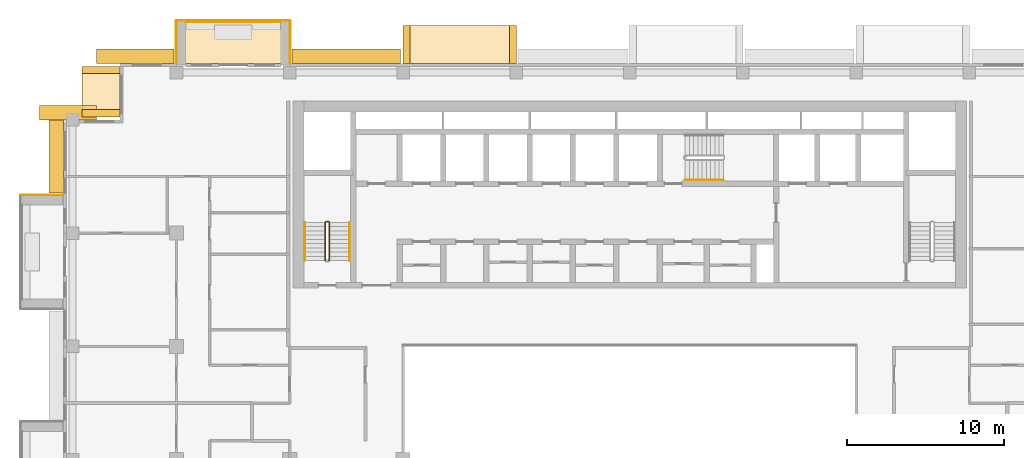
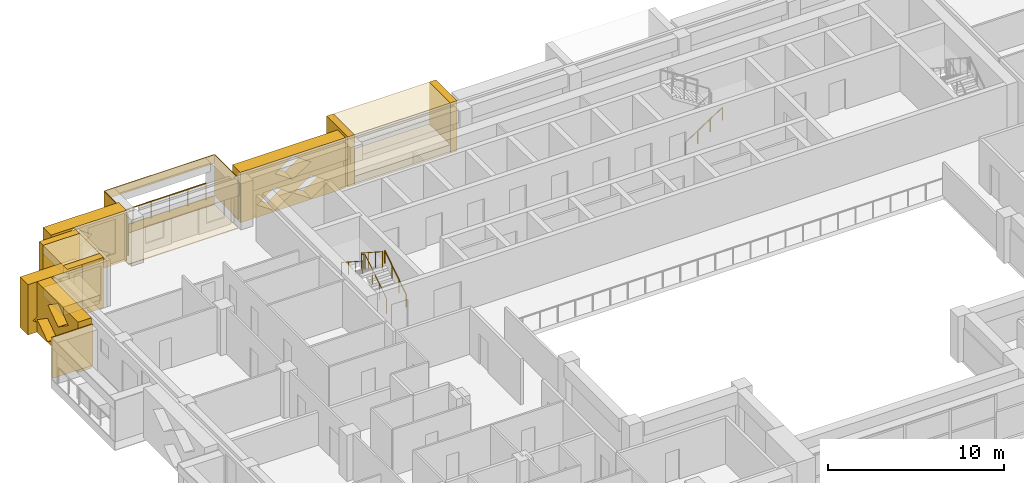
# One storey, part 18 of 20: 18 coverings, 5 railings.
"""IFC4 building model written with IfcOpenShell, lengths in metres."""

from ifc_helpers import new_model, si_unit, direction, frame, origin, origin_2d, place, context, subcontext, project, spatial, polyline, circle, outline, extrude, material, layer, layer_set, type_object, element, save


model = new_model("IFC4")

# Units and contexts
model_context = context("Model", 3, precision=1e-05, world=origin(), true_north=direction((0.0, 1.0)))
body_context = subcontext(model_context, "Body", "Model", "MODEL_VIEW")
ifc_project = project(units=[si_unit("LENGTHUNIT", "METRE"), si_unit("AREAUNIT", "SQUARE_METRE"), si_unit("VOLUMEUNIT", "CUBIC_METRE"), si_unit("PLANEANGLEUNIT", "RADIAN"), si_unit("MASSUNIT", "GRAM", prefix="KILO")], contexts=[model_context])

# Site, building, storey
site_placement = place(None, origin())
site = spatial("IfcSite", under=ifc_project, at=site_placement, CompositionType="ELEMENT")
building_placement = place(site_placement, origin())
building = spatial("IfcBuilding", under=site, at=building_placement, Name="Saffron Iwan Residences", CompositionType="ELEMENT")
storey_placement = place(building_placement, frame((0.0, 0.0, 178.0)))
storey = spatial("IfcBuildingStorey", under=building, at=storey_placement, Name="L47", CompositionType="ELEMENT", Elevation=178.0)

# Railing
ifc_material_1 = material(Name="Stainless steel 316", Category="steel")
railing_type_1 = type_object("IfcRailingType", Name="BALCONY GUARD 1150", PredefinedType="GUARDRAIL", material=ifc_material_1)
railing_1_placement = place(storey_placement, frame((28.199951171875, 83.02490234375, 0.0)))
element("IfcRailing", 1, at=railing_1_placement, inside=storey, type_object=railing_type_1, Name="Balcony guard L47 F5-3", PredefinedType="GUARDRAIL", context=body_context, shape_type="SweptSolid", body=[
    extrude(circle(Radius=0.02392578125, at=origin_2d()), frame((0.0, 0.0, 1.1259765625), z_axis=(-1.0, 0.0, 0.0), x_axis=(0.0, -1.0, 0.0)), (0.0, 0.0, 1.0), 6.0),
    extrude(circle(Radius=0.02099609375, at=origin_2d()), origin(), (0.0, 0.0, 1.0), 1.101806640625),
    extrude(circle(Radius=0.02099609375, at=origin_2d()), frame((-1.199951171875, 0.0, 0.0)), (0.0, 0.0, 1.0), 1.101806640625),
    extrude(circle(Radius=0.02099609375, at=origin_2d()), frame((-2.39990234375, 0.0, 0.0)), (0.0, 0.0, 1.0), 1.101806640625),
    extrude(circle(Radius=0.02099609375, at=origin_2d()), frame((-3.60009765625, 0.0, 0.0)), (0.0, 0.0, 1.0), 1.101806640625),
    extrude(circle(Radius=0.02099609375, at=origin_2d()), frame((-4.800048828125, 0.0, 0.0)), (0.0, 0.0, 1.0), 1.101806640625),
    extrude(circle(Radius=0.02099609375, at=origin_2d()), frame((-6.0, 0.0, 0.0)), (0.0, 0.0, 1.0), 1.101806640625),
])

# Coverings
ifc_material_2 = material(Name="Precast concrete C40/50 white painted", Category="concrete")
ifc_layer = layer(ifc_material_2, 0.050048828125)
ifc_layer_set = layer_set([ifc_layer], Name="Precast concrete C40/50 white painted")
covering_type_1 = type_object("IfcCoveringType", Name="FRAME SKIN PRECAST WHITE 50", PredefinedType="CLADDING", material=ifc_layer_set)
for number, where, name in (
    (2, (0.0, 0.0, -0.60009765625), "Frame skin slab edge L47 F5-3"),
    (3, (0.0, 0.0, 2.25), "Frame skin fascia L47 F5-3"),
):
    element("IfcCovering", number, at=place(storey_placement, frame(where)), inside=storey, type_object=covering_type_1, Name=name, PredefinedType="CLADDING", context=body_context, shape_type="SweptSolid", body=[
        extrude(outline(polyline([(28.800048828125, 83.14990234375), (21.60009765625, 83.14990234375), (21.60009765625, 83.10009765625), (28.800048828125, 83.10009765625), (28.800048828125, 83.14990234375)])), origin(), (0.0, 0.0, 1.0), 0.60009765625),
    ])
covering_1_placement = place(storey_placement, frame((0.0, 0.0, -0.64990234375)))
element("IfcCovering", 4, at=covering_1_placement, inside=storey, type_object=covering_type_1, Name="Frame skin soffit L47 F5-3", PredefinedType="CLADDING", context=body_context, shape_type="SweptSolid", body=[
    extrude(outline(polyline([(28.800048828125, 83.10009765625), (21.60009765625, 83.10009765625), (21.60009765625, 80.39990234375), (28.800048828125, 80.39990234375), (28.800048828125, 83.10009765625)])), origin(), (0.0, 0.0, 1.0), 0.0498046875),
])
covering_2_placement = place(storey_placement, origin())
element("IfcCovering", 5, at=covering_2_placement, inside=storey, type_object=covering_type_1, Name="Frame skin fin L47 F5-3a", PredefinedType="CLADDING", context=body_context, shape_type="SweptSolid", body=[
    extrude(outline(polyline([(28.85009765625, 83.10009765625), (28.800048828125, 83.10009765625), (28.800048828125, 80.39990234375), (28.85009765625, 80.39990234375), (28.85009765625, 83.10009765625)])), origin(), (0.0, 0.0, 1.0), 2.85009765625),
])
covering_3_placement = place(storey_placement, origin())
element("IfcCovering", 6, at=covering_3_placement, inside=storey, type_object=covering_type_1, Name="Frame skin fin L47 F5-3b", PredefinedType="CLADDING", context=body_context, shape_type="SweptSolid", body=[
    extrude(outline(polyline([(21.60009765625, 83.10009765625), (21.550048828125, 83.10009765625), (21.550048828125, 80.39990234375), (21.60009765625, 80.39990234375), (21.60009765625, 83.10009765625)])), origin(), (0.0, 0.0, 1.0), 2.85009765625),
])
covering_4_placement = place(storey_placement, origin())
element("IfcCovering", 7, at=covering_4_placement, inside=storey, type_object=covering_type_1, Name="Frame skin fin L47 F8-0a", PredefinedType="CLADDING", context=body_context, shape_type="SweptSolid", body=[
    extrude(outline(polyline([(11.699951171875, 72.050048828125), (11.699951171875, 72.0), (14.39990234375, 72.0), (14.39990234375, 72.050048828125), (11.699951171875, 72.050048828125)])), origin(), (0.0, 0.0, 1.0), 2.85009765625),
])
ifc_material_3 = material(Name="Precast concrete C40/50", Category="concrete")
covering_type_2 = type_object("IfcCoveringType", Name="OUTER SKIN LATTICE SCREEN", PredefinedType="CLADDING", material=ifc_material_3)
covering_5_placement = place(storey_placement, frame((35.85009765625, 80.39990234375, -0.300048828125), z_axis=(0.0, 1.0, 0.0), x_axis=(-1.0, 0.0, 0.0)))
element("IfcCovering", 8, at=covering_5_placement, inside=storey, type_object=covering_type_2, Name="OUTER SKIN lattice screen L47 F5.3", PredefinedType="CLADDING", context=body_context, shape_type="SweptSolid", body=[
    extrude(outline(polyline([(0.0, 0.0), (6.89990234375, 0.0), (6.89990234375, 3.5), (0.0, 3.5), (0.0, 0.0)]), holes=[polyline([(1.070068359375, 0.875), (2.25, 0.06005859375), (3.429931640625, 0.875), (2.25, 1.68994140625), (1.070068359375, 0.875)]), polyline([(3.469970703125, 0.875), (4.64990234375, 0.06005859375), (5.830078125, 0.875), (4.64990234375, 1.68994140625), (3.469970703125, 0.875)]), polyline([(2.27001953125, 2.625), (3.449951171875, 1.81005859375), (4.6298828125, 2.625), (3.449951171875, 3.43994140625), (2.27001953125, 2.625)])]), origin(), (0.0, 0.0, 1.0), 0.900146484375),
])
covering_6_placement = place(storey_placement, frame((21.449951171875, 80.39990234375, -0.300048828125), z_axis=(0.0, 1.0, 0.0), x_axis=(-1.0, 0.0, 0.0)))
element("IfcCovering", 9, at=covering_6_placement, inside=storey, type_object=covering_type_2, Name="OUTER SKIN lattice screen L47 F5.4", PredefinedType="CLADDING", context=body_context, shape_type="SweptSolid", body=[
    extrude(outline(polyline([(0.0, 0.0), (4.949951171875, 0.0), (4.949951171875, 3.5), (0.0, 3.5), (0.0, 0.0)]), holes=[polyline([(1.070068359375, 0.875), (2.25, 0.06005859375), (3.429931640625, 0.875), (2.25, 1.68994140625), (1.070068359375, 0.875)]), polyline([(2.27001953125, 2.625), (3.449951171875, 1.81005859375), (4.6298828125, 2.625), (3.449951171875, 3.43994140625), (2.27001953125, 2.625)])]), origin(), (0.0, 0.0, 1.0), 0.900146484375),
])
covering_7_placement = place(storey_placement, frame((16.5, 76.800048828125, -0.300048828125), z_axis=(0.0, 1.0, 0.0), x_axis=(-1.0, 0.0, 0.0)))
element("IfcCovering", 10, at=covering_7_placement, inside=storey, type_object=covering_type_2, Name="OUTER SKIN lattice screen L47 F7.0", PredefinedType="CLADDING", context=body_context, shape_type="SweptSolid", body=[
    extrude(outline(polyline([(0.0, 0.0), (3.60009765625, 0.0), (3.60009765625, 3.5), (0.0, 3.5), (0.0, 0.0)]), holes=[polyline([(0.919921875, 0.875), (2.10009765625, 0.06005859375), (3.280029296875, 0.875), (2.10009765625, 1.68994140625), (0.919921875, 0.875)])]), origin(), (0.0, 0.0, 1.0), 0.89990234375),
])
covering_8_placement = place(storey_placement, frame((14.39990234375, 77.699951171875, -0.300048828125), z_axis=(-1.0, 0.0, 0.0), x_axis=(0.0, -1.0, 0.0)))
element("IfcCovering", 11, at=covering_8_placement, inside=storey, type_object=covering_type_2, Name="OUTER SKIN lattice screen L47 F8.0", PredefinedType="CLADDING", context=body_context, shape_type="SweptSolid", body=[
    extrude(outline(polyline([(0.0, 0.0), (5.550048828125, 0.0), (5.550048828125, 3.5), (0.0, 3.5), (0.0, 0.0)]), holes=[polyline([(0.919921875, 0.875), (2.10009765625, 0.06005859375), (3.280029296875, 0.875), (2.10009765625, 1.68994140625), (0.919921875, 0.875)]), polyline([(2.1201171875, 2.625), (3.300048828125, 1.81005859375), (4.47998046875, 2.625), (3.300048828125, 3.43994140625), (2.1201171875, 2.625)])]), origin(), (0.0, 0.0, 1.0), 0.89990234375),
])

# Railings
ifc_material_4 = material(Name="Steel S355", Category="steel")
railing_type_2 = type_object("IfcRailingType", Name="Stair guard 1100", PredefinedType="GUARDRAIL", material=ifc_material_4)
railing_2_placement = place(storey_placement, frame((31.300048828125, 67.85009765625, 0.175048828125)))
element("IfcRailing", 12, at=railing_2_placement, inside=storey, type_object=railing_type_2, Name="L47 ST-W stair guard 1", PredefinedType="GUARDRAIL", context=body_context, shape_type="SweptSolid", body=[
    extrude(circle(Radius=0.02392578125, at=origin_2d()), frame((0.0, 0.0, 1.076171875), z_axis=(0.0, 0.839153699163, 0.543894354798), x_axis=(-1.0, 0.0, 0.0)), (0.0, 0.0, 1.0), 2.895751953125),
    extrude(circle(Radius=0.02392578125, at=origin_2d()), frame((0.0, 2.429931640625, 2.65087890625), z_axis=(-0.707106781187, 0.707106781187, 0.0), x_axis=(-0.707106781187, -0.707106781187, 0.0)), (0.0, 0.0, 1.0), 0.07080078125),
    extrude(circle(Radius=0.02392578125, at=origin_2d()), frame((-0.050048828125, 2.47998046875, 2.65087890625), z_axis=(-1.0, 0.0, 0.0), x_axis=(0.0, -1.0, 0.0)), (0.0, 0.0, 1.0), 0.14990234375),
    extrude(circle(Radius=0.02392578125, at=origin_2d()), frame((-0.199951171875, 2.47998046875, 2.65087890625), z_axis=(-0.265065253269, -0.265065253269, 0.927081885822), x_axis=(0.707106781187, -0.707106781187, 0.0)), (0.0, 0.0, 1.0), 0.188720703125),
    extrude(circle(Radius=0.02392578125, at=origin_2d()), frame((-0.25, 2.429931640625, 2.826171875), z_axis=(0.0, -0.839153699163, 0.543894354798), x_axis=(1.0, 0.0, 0.0)), (0.0, 0.0, 1.0), 2.895751953125),
    extrude(circle(Radius=0.02099609375, at=origin_2d()), origin(), (0.0, 0.0, 1.0), 1.052001953125),
    extrude(circle(Radius=0.02099609375, at=origin_2d()), frame((0.0, 0.81005859375, 0.52490234375)), (0.0, 0.0, 1.0), 1.052001953125),
    extrude(circle(Radius=0.02099609375, at=origin_2d()), frame((0.0, 1.619873046875, 1.050048828125)), (0.0, 0.0, 1.0), 1.052001953125),
    extrude(circle(Radius=0.02099609375, at=origin_2d()), frame((0.0, 2.429931640625, 1.574951171875)), (0.0, 0.0, 1.0), 1.052001953125),
    extrude(circle(Radius=0.02099609375, at=origin_2d()), frame((-0.050048828125, 2.47998046875, 1.574951171875)), (0.0, 0.0, 1.0), 1.052001953125),
    extrude(circle(Radius=0.02099609375, at=origin_2d()), frame((-0.199951171875, 2.47998046875, 1.574951171875)), (0.0, 0.0, 1.0), 1.052001953125),
    extrude(circle(Radius=0.02099609375, at=origin_2d()), frame((-0.25, 2.429931640625, 1.75)), (0.0, 0.0, 1.0), 1.052001953125),
    extrude(circle(Radius=0.02099609375, at=origin_2d()), frame((-0.25, 1.619873046875, 2.27490234375)), (0.0, 0.0, 1.0), 1.052001953125),
    extrude(circle(Radius=0.02099609375, at=origin_2d()), frame((-0.25, 0.81005859375, 2.800048828125)), (0.0, 0.0, 1.0), 1.052001953125),
    extrude(circle(Radius=0.02099609375, at=origin_2d()), frame((-0.25, 0.0, 3.324951171875)), (0.0, 0.0, 1.0), 1.052001953125),
])
railing_type_3 = type_object("IfcRailingType", Name="Stair handrail 900", PredefinedType="HANDRAIL", material=ifc_material_1)
railing_3_placement = place(storey_placement, frame((32.60009765625, 67.85009765625, 0.175048828125)))
element("IfcRailing", 13, at=railing_3_placement, inside=storey, type_object=railing_type_3, Name="L47 ST-W stair handrail 1", PredefinedType="HANDRAIL", context=body_context, shape_type="SweptSolid", body=[
    extrude(circle(Radius=0.02392578125, at=origin_2d()), frame((0.0, 0.0, 0.8759765625), z_axis=(0.0, 0.839153699163, 0.543894354798), x_axis=(-1.0, 0.0, 0.0)), (0.0, 0.0, 1.0), 2.895751953125),
    extrude(circle(Radius=0.02099609375, at=origin_2d()), origin(), (0.0, 0.0, 1.0), 0.851806640625),
    extrude(circle(Radius=0.02099609375, at=origin_2d()), frame((0.0, 0.81005859375, 0.52490234375)), (0.0, 0.0, 1.0), 0.851806640625),
    extrude(circle(Radius=0.02099609375, at=origin_2d()), frame((0.0, 1.619873046875, 1.050048828125)), (0.0, 0.0, 1.0), 0.851806640625),
    extrude(circle(Radius=0.02099609375, at=origin_2d()), frame((0.0, 2.429931640625, 1.574951171875)), (0.0, 0.0, 1.0), 0.851806640625),
])
railing_4_placement = place(storey_placement, frame((29.75, 70.280029296875, 1.925048828125)))
element("IfcRailing", 14, at=railing_4_placement, inside=storey, type_object=railing_type_3, Name="L47 ST-W stair handrail 2", PredefinedType="HANDRAIL", context=body_context, shape_type="SweptSolid", body=[
    extrude(circle(Radius=0.02392578125, at=origin_2d()), frame((0.0, 0.0, 0.8759765625), z_axis=(0.0, -0.839153699163, 0.543894354798), x_axis=(1.0, 0.0, 0.0)), (0.0, 0.0, 1.0), 2.895751953125),
    extrude(circle(Radius=0.02099609375, at=origin_2d()), origin(), (0.0, 0.0, 1.0), 0.851806640625),
    extrude(circle(Radius=0.02099609375, at=origin_2d()), frame((0.0, -0.81005859375, 0.52490234375)), (0.0, 0.0, 1.0), 0.851806640625),
    extrude(circle(Radius=0.02099609375, at=origin_2d()), frame((0.0, -1.619873046875, 1.050048828125)), (0.0, 0.0, 1.0), 0.851806640625),
    extrude(circle(Radius=0.02099609375, at=origin_2d()), frame((0.0, -2.429931640625, 1.574951171875)), (0.0, 0.0, 1.0), 0.851806640625),
])
railing_5_placement = place(storey_placement, frame((53.925048828125, 72.97509765625, 0.175048828125)))
element("IfcRailing", 15, at=railing_5_placement, inside=storey, type_object=railing_type_3, Name="L47 ST-C stair handrail 1", PredefinedType="HANDRAIL", context=body_context, shape_type="SweptSolid", body=[
    extrude(circle(Radius=0.02392578125, at=origin_2d()), frame((0.0, 0.0, 0.8759765625), z_axis=(0.839153699163, 0.0, 0.543894354798), x_axis=(0.0, 1.0, 0.0)), (0.0, 0.0, 1.0), 2.895751953125),
    extrude(circle(Radius=0.02099609375, at=origin_2d()), origin(), (0.0, 0.0, 1.0), 0.851806640625),
    extrude(circle(Radius=0.02099609375, at=origin_2d()), frame((0.81005859375, 0.0, 0.52490234375)), (0.0, 0.0, 1.0), 0.851806640625),
    extrude(circle(Radius=0.02099609375, at=origin_2d()), frame((1.619873046875, 0.0, 1.050048828125)), (0.0, 0.0, 1.0), 0.851806640625),
    extrude(circle(Radius=0.02099609375, at=origin_2d()), frame((2.429931640625, 0.0, 1.574951171875)), (0.0, 0.0, 1.0), 0.851806640625),
])

# Coverings
covering_type_3 = type_object("IfcCoveringType", Name="WHITE SUN FRAME PRECAST", PredefinedType="CLADDING", material=ifc_material_2)
for number, where, z_axis, x_axis, name in (
    (16, (43.199951171875, 80.39990234375, -0.300048828125), (0.0, 1.0, 0.0), (-1.0, 0.0, 0.0), "Sun frame L47 F5 39.6a"),
    (17, (36.449951171875, 80.39990234375, -0.300048828125), (0.0, 1.0, 0.0), (-1.0, 0.0, 0.0), "Sun frame L47 F5 39.6b"),
):
    element("IfcCovering", number, at=place(storey_placement, frame(where, z_axis=z_axis, x_axis=x_axis)), inside=storey, type_object=covering_type_3, Name=name, PredefinedType="CLADDING", context=body_context, shape_type="SweptSolid", body=[
        extrude(outline(polyline([(0.0, 0.0), (0.449951171875, 0.0), (0.449951171875, 3.5), (0.0, 3.5), (0.0, 0.0)])), origin(), (0.0, 0.0, 1.0), 2.400146484375),
    ])
for number, where, z_axis, x_axis, name in (
    (18, (42.75, 80.39990234375, 2.60009765625), (0.0, 1.0, 0.0), (-1.0, 0.0, 0.0), "Sun frame L47 F5 39.6h"),
    (19, (42.75, 80.39990234375, -0.300048828125), (0.0, 1.0, 0.0), (-1.0, 0.0, 0.0), "Sun frame L47 F5 39.6s"),
):
    element("IfcCovering", number, at=place(storey_placement, frame(where, z_axis=z_axis, x_axis=x_axis)), inside=storey, type_object=covering_type_3, Name=name, PredefinedType="CLADDING", context=body_context, shape_type="SweptSolid", body=[
        extrude(outline(polyline([(0.0, 0.0), (6.300048828125, 0.0), (6.300048828125, 0.60009765625), (0.0, 0.60009765625), (0.0, 0.0)])), origin(), (0.0, 0.0, 1.0), 2.400146484375),
    ])
for number, where, z_axis, x_axis, name in (
    (20, (18.0, 80.199951171875, -0.300048828125), (-1.0, 0.0, 0.0), (0.0, -1.0, 0.0), "Sun frame L47 F6 0.2a"),
    (21, (18.0, 77.449951171875, -0.300048828125), (-1.0, 0.0, 0.0), (0.0, -1.0, 0.0), "Sun frame L47 F6 0.2b"),
):
    element("IfcCovering", number, at=place(storey_placement, frame(where, z_axis=z_axis, x_axis=x_axis)), inside=storey, type_object=covering_type_3, Name=name, PredefinedType="CLADDING", context=body_context, shape_type="SweptSolid", body=[
        extrude(outline(polyline([(0.0, 0.0), (0.449951171875, 0.0), (0.449951171875, 3.5), (0.0, 3.5), (0.0, 0.0)])), origin(), (0.0, 0.0, 1.0), 2.39990234375),
    ])
for number, where, z_axis, x_axis, name in (
    (22, (18.0, 79.75, 2.60009765625), (-1.0, 0.0, 0.0), (0.0, -1.0, 0.0), "Sun frame L47 F6 0.2h"),
    (23, (18.0, 79.75, -0.300048828125), (-1.0, 0.0, 0.0), (0.0, -1.0, 0.0), "Sun frame L47 F6 0.2s"),
):
    element("IfcCovering", number, at=place(storey_placement, frame(where, z_axis=z_axis, x_axis=x_axis)), inside=storey, type_object=covering_type_3, Name=name, PredefinedType="CLADDING", context=body_context, shape_type="SweptSolid", body=[
        extrude(outline(polyline([(0.0, 0.0), (2.300048828125, 0.0), (2.300048828125, 0.60009765625), (0.0, 0.60009765625), (0.0, 0.0)])), origin(), (0.0, 0.0, 1.0), 2.39990234375),
    ])

save(model, "model.ifc")
